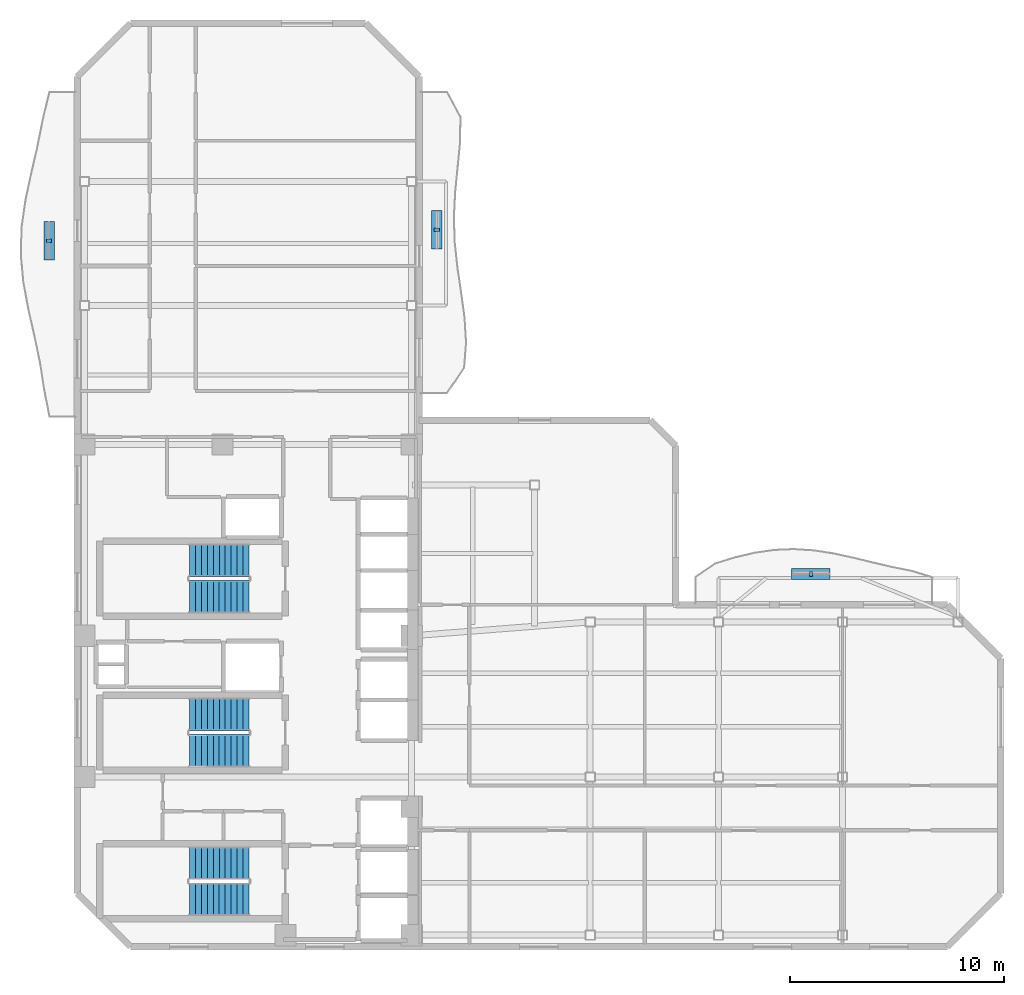
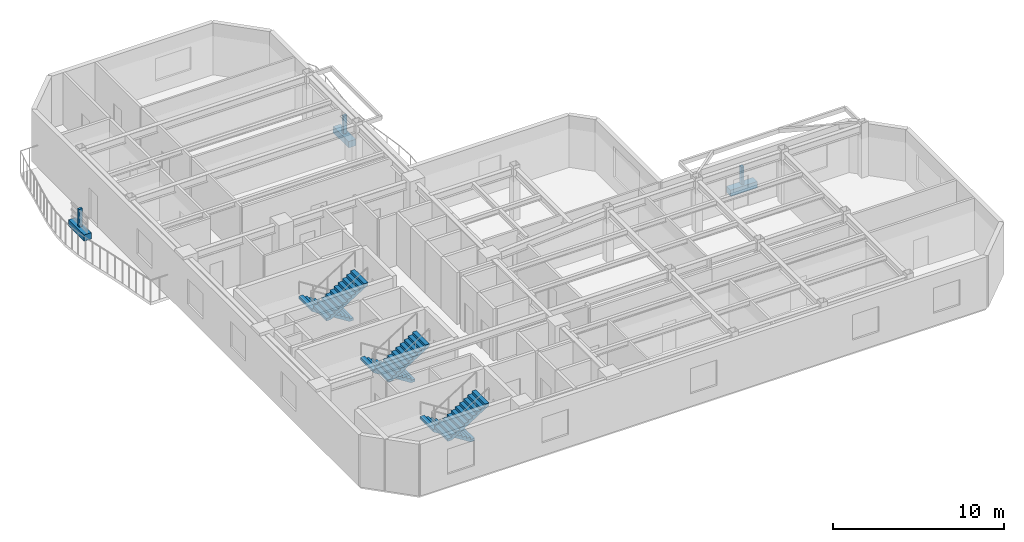
# One storey, part 6 of 9: 6 discrete accessories, 6 stair flights, 3 elements without a shape of their own.
"""IFC4 building model written with IfcOpenShell, lengths in metres."""

from ifc_helpers import new_model, si_unit, direction, frame, origin, origin_2d, place, context, subcontext, project, spatial, polyline, rectangle, outline, extrude, material, type_object, element, aggregate, save


model = new_model("IFC4")

# Units and contexts
model_context = context("Model", 3, precision=1e-05, world=origin(), true_north=direction((0.0, 1.0)))
body_context = subcontext(model_context, "Body", "Model", "MODEL_VIEW")
ifc_project = project(units=[si_unit("LENGTHUNIT", "METRE"), si_unit("AREAUNIT", "SQUARE_METRE"), si_unit("VOLUMEUNIT", "CUBIC_METRE"), si_unit("PLANEANGLEUNIT", "RADIAN"), si_unit("MASSUNIT", "GRAM", prefix="KILO")], contexts=[model_context])

# Site, building, storey
site_placement = place(None, origin())
site = spatial("IfcSite", under=ifc_project, at=site_placement, CompositionType="ELEMENT")
building_placement = place(site_placement, origin())
building = spatial("IfcBuilding", under=site, at=building_placement, Name="Mawjaban Terraces University", CompositionType="ELEMENT")
storey_placement = place(building_placement, frame((0.0, 0.0, 175.800048828125)))
storey = spatial("IfcBuildingStorey", under=building, at=storey_placement, Name="L42", CompositionType="ELEMENT", Elevation=175.800048828125)

# Stair, stair flights
ifc_material_1 = material(Name="Concrete C40/50", Category="concrete")
stair_type = type_object("IfcStairType", Name="Stair_Core1550_H39", PredefinedType="HALF_TURN_STAIR", material=ifc_material_1)
stair_1_placement = place(storey_placement, origin())
stair_1 = element("IfcStair", 1, at=stair_1_placement, inside=storey, type_object=stair_type, Name="L42 Core Exit Stair 1", PredefinedType="HALF_TURN_STAIR")
stair_flight_type = type_object("IfcStairFlightType", Name="Flight_Core1550_H39", PredefinedType="STRAIGHT", material=ifc_material_1)
stair_flight_1_placement = place(storey_placement, frame((30.050048828125, 3.925048828125, 0.0), z_axis=(0.0, 0.0, 1.0), x_axis=(-1.0, 0.0, 0.0)))
stair_flight_1 = element("IfcStairFlight", 2, at=stair_flight_1_placement, type_object=stair_flight_type, Name="ST-1 flight 1", NumberOfRisers=11, NumberOfTreads=10, PredefinedType="STRAIGHT", RiserHeight=0.177272727, TreadLength=0.28, context=body_context, shape_type="SweptSolid", body=[
    extrude(outline(polyline([(0.0, 0.0), (0.0, 0.17724609375), (0.280029296875, 0.17724609375), (0.280029296875, 0.3544921875), (0.56005859375, 0.3544921875), (0.56005859375, 0.53173828125), (0.840087890625, 0.53173828125), (0.840087890625, 0.708984375), (1.1201171875, 0.708984375), (1.1201171875, 0.886474609375), (1.39990234375, 0.886474609375), (1.39990234375, 1.063720703125), (1.679931640625, 1.063720703125), (1.679931640625, 1.240966796875), (1.9599609375, 1.240966796875), (1.9599609375, 1.418212890625), (2.239990234375, 1.418212890625), (2.239990234375, 1.595458984375), (2.52001953125, 1.595458984375), (2.52001953125, 1.772705078125), (2.800048828125, 1.772705078125), (2.800048828125, 1.949951171875), (2.800048828125, 1.59521484375), (0.2802734375, 0.0), (0.0, 0.0)])), frame((0.0, 0.77490234375, 0.0), z_axis=(0.0, -1.0, 0.0), x_axis=(1.0, 0.0, 0.0)), (0.0, 0.0, 1.0), 1.550048828125),
])
stair_flight_2_placement = place(storey_placement, frame((27.25, 2.22509765625, 1.949951171875), z_axis=(0.0, 0.0, 1.0), x_axis=(1.0, 0.0, 0.0)))
stair_flight_2 = element("IfcStairFlight", 3, at=stair_flight_2_placement, type_object=stair_flight_type, Name="ST-1 flight 2", NumberOfRisers=11, NumberOfTreads=10, PredefinedType="STRAIGHT", RiserHeight=0.177272727, TreadLength=0.28, context=body_context, shape_type="SweptSolid", body=[
    extrude(outline(polyline([(0.0, 0.0), (0.0, 0.17724609375), (0.280029296875, 0.17724609375), (0.280029296875, 0.3544921875), (0.56005859375, 0.3544921875), (0.56005859375, 0.53173828125), (0.840087890625, 0.53173828125), (0.840087890625, 0.708984375), (1.1201171875, 0.708984375), (1.1201171875, 0.886474609375), (1.39990234375, 0.886474609375), (1.39990234375, 1.063720703125), (1.679931640625, 1.063720703125), (1.679931640625, 1.240966796875), (1.9599609375, 1.240966796875), (1.9599609375, 1.418212890625), (2.239990234375, 1.418212890625), (2.239990234375, 1.595458984375), (2.52001953125, 1.595458984375), (2.52001953125, 1.772705078125), (2.800048828125, 1.772705078125), (2.800048828125, 1.949951171875), (2.800048828125, 1.59521484375), (0.2802734375, 0.0), (0.0, 0.0)])), frame((0.0, 0.77490234375, 0.0), z_axis=(0.0, -1.0, 0.0), x_axis=(1.0, 0.0, 0.0)), (0.0, 0.0, 1.0), 1.550048828125),
])
aggregate(stair_1, [stair_flight_1, stair_flight_2])

stair_2_placement = place(storey_placement, origin())
stair_2 = element("IfcStair", 4, at=stair_2_placement, inside=storey, type_object=stair_type, Name="L42 Core Exit Stair 2", PredefinedType="HALF_TURN_STAIR")
stair_flight_3_placement = place(storey_placement, frame((30.050048828125, 18.074951171875, 0.0), z_axis=(0.0, 0.0, 1.0), x_axis=(-1.0, 0.0, 0.0)))
stair_flight_3 = element("IfcStairFlight", 5, at=stair_flight_3_placement, type_object=stair_flight_type, Name="ST-2 flight 1", NumberOfRisers=11, NumberOfTreads=10, PredefinedType="STRAIGHT", RiserHeight=0.177272727, TreadLength=0.28, context=body_context, shape_type="SweptSolid", body=[
    extrude(outline(polyline([(0.0, 0.0), (0.0, 0.17724609375), (0.280029296875, 0.17724609375), (0.280029296875, 0.3544921875), (0.56005859375, 0.3544921875), (0.56005859375, 0.53173828125), (0.840087890625, 0.53173828125), (0.840087890625, 0.708984375), (1.1201171875, 0.708984375), (1.1201171875, 0.886474609375), (1.39990234375, 0.886474609375), (1.39990234375, 1.063720703125), (1.679931640625, 1.063720703125), (1.679931640625, 1.240966796875), (1.9599609375, 1.240966796875), (1.9599609375, 1.418212890625), (2.239990234375, 1.418212890625), (2.239990234375, 1.595458984375), (2.52001953125, 1.595458984375), (2.52001953125, 1.772705078125), (2.800048828125, 1.772705078125), (2.800048828125, 1.949951171875), (2.800048828125, 1.59521484375), (0.2802734375, 0.0), (0.0, 0.0)])), frame((0.0, 0.77490234375, 0.0), z_axis=(0.0, -1.0, 0.0), x_axis=(1.0, 0.0, 0.0)), (0.0, 0.0, 1.0), 1.550048828125),
])
stair_flight_4_placement = place(storey_placement, frame((27.25, 16.375, 1.949951171875), z_axis=(0.0, 0.0, 1.0), x_axis=(1.0, 0.0, 0.0)))
stair_flight_4 = element("IfcStairFlight", 6, at=stair_flight_4_placement, type_object=stair_flight_type, Name="ST-2 flight 2", NumberOfRisers=11, NumberOfTreads=10, PredefinedType="STRAIGHT", RiserHeight=0.177272727, TreadLength=0.28, context=body_context, shape_type="SweptSolid", body=[
    extrude(outline(polyline([(0.0, 0.0), (0.0, 0.17724609375), (0.280029296875, 0.17724609375), (0.280029296875, 0.3544921875), (0.56005859375, 0.3544921875), (0.56005859375, 0.53173828125), (0.840087890625, 0.53173828125), (0.840087890625, 0.708984375), (1.1201171875, 0.708984375), (1.1201171875, 0.886474609375), (1.39990234375, 0.886474609375), (1.39990234375, 1.063720703125), (1.679931640625, 1.063720703125), (1.679931640625, 1.240966796875), (1.9599609375, 1.240966796875), (1.9599609375, 1.418212890625), (2.239990234375, 1.418212890625), (2.239990234375, 1.595458984375), (2.52001953125, 1.595458984375), (2.52001953125, 1.772705078125), (2.800048828125, 1.772705078125), (2.800048828125, 1.949951171875), (2.800048828125, 1.59521484375), (0.2802734375, 0.0), (0.0, 0.0)])), frame((0.0, 0.77490234375, 0.0), z_axis=(0.0, -1.0, 0.0), x_axis=(1.0, 0.0, 0.0)), (0.0, 0.0, 1.0), 1.550048828125),
])
aggregate(stair_2, [stair_flight_3, stair_flight_4])

stair_3_placement = place(storey_placement, origin())
stair_3 = element("IfcStair", 7, at=stair_3_placement, inside=storey, type_object=stair_type, Name="L42 Core Exit Stair 3", PredefinedType="HALF_TURN_STAIR")
stair_flight_5_placement = place(storey_placement, frame((30.050048828125, 10.875, 0.0), z_axis=(0.0, 0.0, 1.0), x_axis=(-1.0, 0.0, 0.0)))
stair_flight_5 = element("IfcStairFlight", 8, at=stair_flight_5_placement, type_object=stair_flight_type, Name="ST-3 flight 1", NumberOfRisers=11, NumberOfTreads=10, PredefinedType="STRAIGHT", RiserHeight=0.177272727, TreadLength=0.28, context=body_context, shape_type="SweptSolid", body=[
    extrude(outline(polyline([(0.0, 0.0), (0.0, 0.17724609375), (0.280029296875, 0.17724609375), (0.280029296875, 0.3544921875), (0.56005859375, 0.3544921875), (0.56005859375, 0.53173828125), (0.840087890625, 0.53173828125), (0.840087890625, 0.708984375), (1.1201171875, 0.708984375), (1.1201171875, 0.886474609375), (1.39990234375, 0.886474609375), (1.39990234375, 1.063720703125), (1.679931640625, 1.063720703125), (1.679931640625, 1.240966796875), (1.9599609375, 1.240966796875), (1.9599609375, 1.418212890625), (2.239990234375, 1.418212890625), (2.239990234375, 1.595458984375), (2.52001953125, 1.595458984375), (2.52001953125, 1.772705078125), (2.800048828125, 1.772705078125), (2.800048828125, 1.949951171875), (2.800048828125, 1.59521484375), (0.2802734375, 0.0), (0.0, 0.0)])), frame((0.0, 0.77490234375, 0.0), z_axis=(0.0, -1.0, 0.0), x_axis=(1.0, 0.0, 0.0)), (0.0, 0.0, 1.0), 1.550048828125),
])
stair_flight_6_placement = place(storey_placement, frame((27.25, 9.175048828125, 1.949951171875), z_axis=(0.0, 0.0, 1.0), x_axis=(1.0, 0.0, 0.0)))
stair_flight_6 = element("IfcStairFlight", 9, at=stair_flight_6_placement, type_object=stair_flight_type, Name="ST-3 flight 2", NumberOfRisers=11, NumberOfTreads=10, PredefinedType="STRAIGHT", RiserHeight=0.177272727, TreadLength=0.28, context=body_context, shape_type="SweptSolid", body=[
    extrude(outline(polyline([(0.0, 0.0), (0.0, 0.17724609375), (0.280029296875, 0.17724609375), (0.280029296875, 0.3544921875), (0.56005859375, 0.3544921875), (0.56005859375, 0.53173828125), (0.840087890625, 0.53173828125), (0.840087890625, 0.708984375), (1.1201171875, 0.708984375), (1.1201171875, 0.886474609375), (1.39990234375, 0.886474609375), (1.39990234375, 1.063720703125), (1.679931640625, 1.063720703125), (1.679931640625, 1.240966796875), (1.9599609375, 1.240966796875), (1.9599609375, 1.418212890625), (2.239990234375, 1.418212890625), (2.239990234375, 1.595458984375), (2.52001953125, 1.595458984375), (2.52001953125, 1.772705078125), (2.800048828125, 1.772705078125), (2.800048828125, 1.949951171875), (2.800048828125, 1.59521484375), (0.2802734375, 0.0), (0.0, 0.0)])), frame((0.0, 0.77490234375, 0.0), z_axis=(0.0, -1.0, 0.0), x_axis=(1.0, 0.0, 0.0)), (0.0, 0.0, 1.0), 1.550048828125),
])
aggregate(stair_3, [stair_flight_5, stair_flight_6])

# Discrete accessories
ifc_material_2 = material(Name="Stainless steel 316L", Category="steel")
discrete_accessory_type_1 = type_object("IfcDiscreteAccessoryType", Name="FacadeScreenBracket_Steel", PredefinedType="BRACKET", material=ifc_material_2)
for number, where, z_axis, x_axis, name in (
    (10, (20.693115234375, 33.033935546875, 0.419921875), (0.0, 0.0, 1.0), (0.0, 1.0, 0.0), "L42 Balcony Screen Support Bracket west"),
    (11, (56.322998046875, 17.444091796875, 0.419921875), (0.0, 0.0, 1.0), (1.0, 0.0, 0.0), "L42 Balcony Screen Support Bracket inner_north"),
    (12, (38.822021484375, 33.5380859375, 0.419921875), (0.0, 0.0, 1.0), (0.0, 1.0, 0.0), "L42 Balcony Screen Support Bracket inner_east"),
):
    element("IfcDiscreteAccessory", number, at=place(storey_placement, frame(where, z_axis=z_axis, x_axis=x_axis)), inside=storey, type_object=discrete_accessory_type_1, Name=name, PredefinedType="BRACKET", context=body_context, shape_type="SweptSolid", body=[
        extrude(rectangle(XDim=0.159912109375, YDim=0.239990234375, at=origin_2d()), origin(), (0.0, 0.0, 1.0), 1.300048828125),
    ])
ifc_material_3 = material(Name="Precast architectural terracotta planter with engineered planting soil", Category="masonry")
discrete_accessory_type_2 = type_object("IfcDiscreteAccessoryType", Name="IrrigatedPlanterTrough_450", PredefinedType="USERDEFINED", material=ifc_material_3)
for number, where, z_axis, x_axis, name in (
    (13, (20.693115234375, 33.033935546875, -0.0048828125), (0.0, 0.0, 1.0), (0.0, 1.0, 0.0), "L42 Balcony Irrigated Planter west"),
    (14, (56.322998046875, 17.444091796875, -0.0048828125), (0.0, 0.0, 1.0), (1.0, 0.0, 0.0), "L42 Balcony Irrigated Planter inner_north"),
    (15, (38.822021484375, 33.5380859375, -0.0048828125), (0.0, 0.0, 1.0), (0.0, 1.0, 0.0), "L42 Balcony Irrigated Planter inner_east"),
):
    element("IfcDiscreteAccessory", number, at=place(storey_placement, frame(where, z_axis=z_axis, x_axis=x_axis)), inside=storey, type_object=discrete_accessory_type_2, Name=name, ObjectType="PLANTER", PredefinedType="USERDEFINED", context=body_context, shape_type="SweptSolid", body=[
        extrude(rectangle(XDim=1.800048828125, YDim=0.5, at=origin_2d()), origin(), (0.0, 0.0, 1.0), 0.449951171875),
    ])

save(model, "model.ifc")
